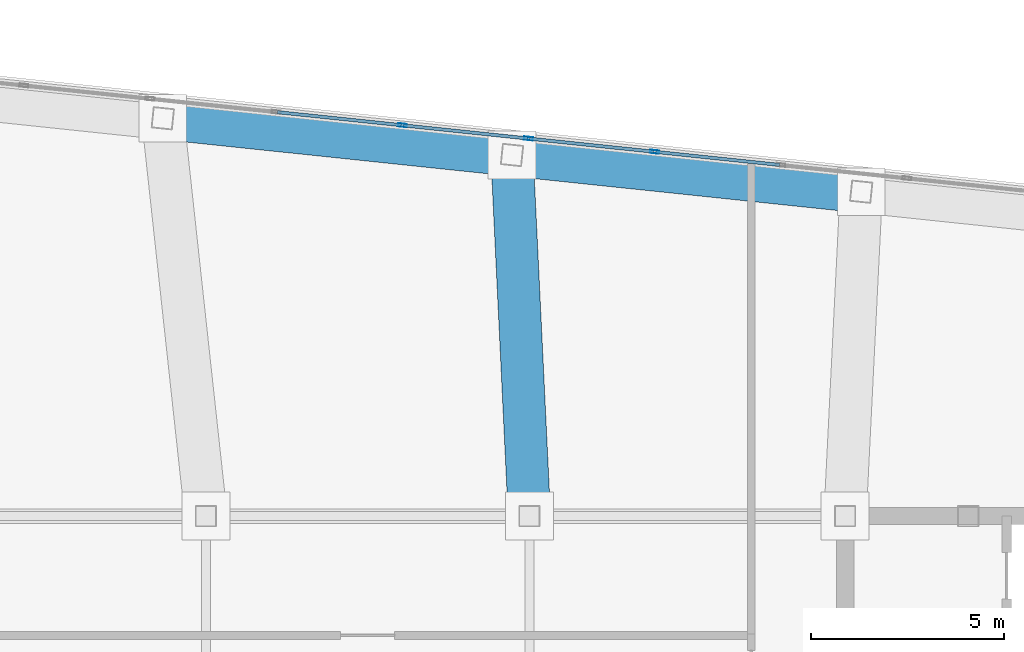
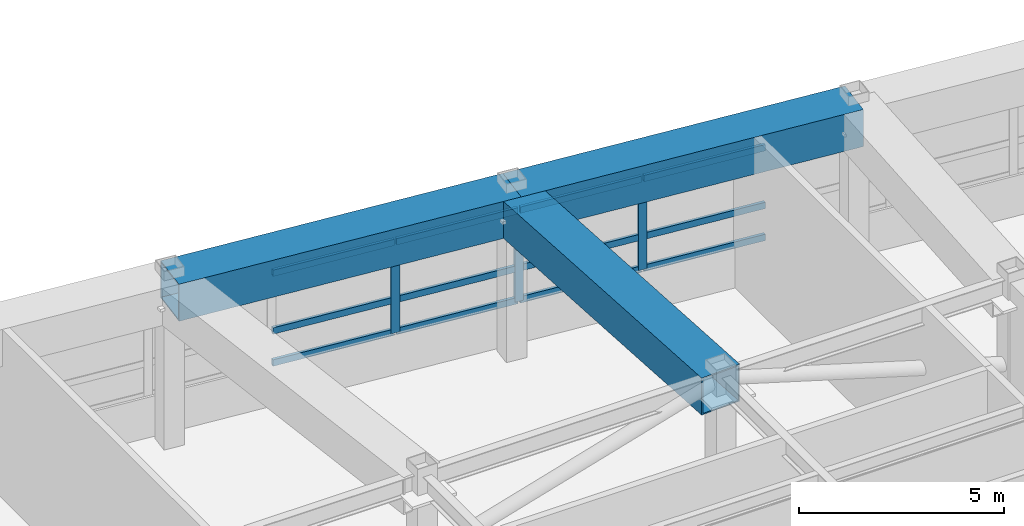
# One storey, part 16 of 23: 15 members, 3 beams, 1 element without a shape of its own.
"""IFC4 building model written with IfcOpenShell, lengths in metres."""

from ifc_helpers import new_model, si_unit, direction, frame, origin, origin_2d, place, context, subcontext, project, spatial, hollow_rectangle, extrude, material, layer, layer_set, material_profile, profile_set, type_object, element, aggregate, save


model = new_model("IFC4")

# Units and contexts
model_context = context("Model", 3, precision=1e-05, world=origin(), true_north=direction((0.0, 1.0)))
body_context = subcontext(model_context, "Body", "Model", "MODEL_VIEW")
ifc_project = project(units=[si_unit("LENGTHUNIT", "METRE"), si_unit("AREAUNIT", "SQUARE_METRE"), si_unit("VOLUMEUNIT", "CUBIC_METRE"), si_unit("PLANEANGLEUNIT", "RADIAN"), si_unit("MASSUNIT", "GRAM", prefix="KILO")], contexts=[model_context])

# Site, building, storey
site_placement = place(None, origin())
site = spatial("IfcSite", under=ifc_project, at=site_placement, CompositionType="ELEMENT")
building_placement = place(site_placement, origin())
building = spatial("IfcBuilding", under=site, at=building_placement, Name="Voryun Gate Residences", CompositionType="ELEMENT")
storey_placement = place(building_placement, frame((0.0, 0.0, 316.0)))
storey = spatial("IfcBuildingStorey", under=building, at=storey_placement, Name="L78", CompositionType="ELEMENT", Elevation=316.0)

# Beams
ifc_material_1 = material(Name="Steel SM420", Category="steel")
ifc_material_profile_1 = material_profile(ifc_material_1, hollow_rectangle(XDim=1.10009765625, YDim=1.10009765625, WallThickness=0.035888671875, at=origin_2d()), Name="BOX-1100x1100x36")
ifc_profile_set_1 = profile_set([ifc_material_profile_1], Name="Steel SM420")
beam_type = type_object("IfcBeamType", Name="BM_ARCH_RIB", PredefinedType="USERDEFINED", material=ifc_profile_set_1)
for number, where, z_axis, x_axis, name in (
    (1, (12.818603515625, 15.824951171875, 4.47509765625), (-0.994521136856, 0.104535679778, 0.0), (-0.104535679778, -0.994521136856, 0.0), "BM-L78-SPAND-12"),
    (2, (3.74853515625, 16.7783203125, 4.47509765625), (-0.994521136856, 0.104535679778, 0.0), (-0.104535679778, -0.994521136856, 0.0), "BM-L78-SPAND-13"),
):
    element("IfcBeam", number, at=place(storey_placement, frame(where, z_axis=z_axis, x_axis=x_axis)), inside=storey, type_object=beam_type, Name=name, ObjectType="GIRDER", PredefinedType="USERDEFINED", context=body_context, shape_type="SweptSolid", body=[
        extrude(hollow_rectangle(XDim=1.10009765625, YDim=1.10009765625, WallThickness=0.035888671875, at=origin_2d()), origin(), (0.0, 0.0, 1.0), 9.1201171875),
    ])
beam_placement = place(storey_placement, frame((4.199951171875, 7.39990234375, 4.47509765625), z_axis=(-0.048077831062, 0.998843592441, 0.0), x_axis=(-0.998843592441, -0.048077831062, 0.0)))
element("IfcBeam", 3, at=beam_placement, inside=storey, type_object=beam_type, Name="BM-L78-RAD-N3", ObjectType="GIRDER", PredefinedType="USERDEFINED", context=body_context, shape_type="SweptSolid", body=[
    extrude(hollow_rectangle(XDim=1.10009765625, YDim=1.10009765625, WallThickness=0.035888671875, at=origin_2d()), origin(), (0.0, 0.0, 1.0), 9.38916015625),
])

# Curtain wall, members
ifc_material_2 = material(Name="Anodised aluminium", Category="aluminium")
ifc_layer = layer(ifc_material_2, 0.22998046875, Name="CW_SYS_LANTERN_DARK_GLASS")
ifc_layer_set = layer_set([ifc_layer], Name="Anodised aluminium")
curtain_wall_type = type_object("IfcCurtainWallType", Name="CW_SYS_LANTERN_DARK_GLASS", PredefinedType="NOTDEFINED", material=ifc_layer_set)
curtain_wall_placement = place(storey_placement, origin())
curtain_wall = element("IfcCurtainWall", 4, at=curtain_wall_placement, inside=storey, type_object=curtain_wall_type, Name="Curtain wall CW6-L78-11", PredefinedType="NOTDEFINED")
ifc_material_3 = material(Name="Anodised aluminium", Category="aluminium")
ifc_material_profile_2 = material_profile(ifc_material_3, hollow_rectangle(XDim=0.0849609375, YDim=0.22998046875, WallThickness=0.006103515625, at=origin_2d()), Name="ALU-MULL-230x85x6")
ifc_profile_set_2 = profile_set([ifc_material_profile_2], Name="Anodised aluminium")
member_type_1 = type_object("IfcMemberType", Name="CW_MULL_LANT", PredefinedType="MULLION", material=ifc_profile_set_2)
member_1_placement = place(storey_placement, frame((0.90087890625, 17.55029296875, 1.18994140625), z_axis=(0.0, 0.0, 1.0), x_axis=(0.10452775858, 0.994521969434, 0.0)))
member_1 = element("IfcMember", 5, at=member_1_placement, type_object=member_type_1, Name="CW6 mullion 8", PredefinedType="MULLION", context=body_context, shape_type="SweptSolid", body=[
    extrude(hollow_rectangle(XDim=0.0849609375, YDim=0.22998046875, WallThickness=0.006103515625, at=origin_2d()), origin(), (0.0, 0.0, 1.0), 2.72509765625),
])
member_2_placement = place(storey_placement, frame((4.177490234375, 17.205810546875, 1.18994140625), z_axis=(0.0, 0.0, 1.0), x_axis=(0.10452775858, 0.994521969434, 0.0)))
member_2 = element("IfcMember", 6, at=member_2_placement, type_object=member_type_1, Name="CW6 mullion 9", PredefinedType="MULLION", context=body_context, shape_type="SweptSolid", body=[
    extrude(hollow_rectangle(XDim=0.0849609375, YDim=0.22998046875, WallThickness=0.006103515625, at=origin_2d()), origin(), (0.0, 0.0, 1.0), 2.72509765625),
])
member_3_placement = place(storey_placement, frame((7.4541015625, 16.861328125, 1.18994140625), z_axis=(0.0, 0.0, 1.0), x_axis=(0.10452775858, 0.994521969434, 0.0)))
member_3 = element("IfcMember", 7, at=member_3_placement, type_object=member_type_1, Name="CW6 mullion 10", PredefinedType="MULLION", context=body_context, shape_type="SweptSolid", body=[
    extrude(hollow_rectangle(XDim=0.0849609375, YDim=0.22998046875, WallThickness=0.006103515625, at=origin_2d()), origin(), (0.0, 0.0, 1.0), 2.72509765625),
])
ifc_material_4 = material(Name="Anodised aluminium", Category="aluminium")
ifc_material_profile_3 = material_profile(ifc_material_4, hollow_rectangle(XDim=0.0849609375, YDim=0.18994140625, WallThickness=0.006103515625, at=origin_2d()), Name="ALU-TRAN-190x85x6")
ifc_profile_set_3 = profile_set([ifc_material_profile_3], Name="Anodised aluminium")
member_type_2 = type_object("IfcMemberType", Name="CW_TRAN_LANT", PredefinedType="USERDEFINED", material=ifc_profile_set_3)
member_4_placement = place(storey_placement, frame((-2.345947265625, 17.891357421875, 1.219970703125), z_axis=(0.994521569819, -0.104531560613, 0.0), x_axis=(0.104531560613, 0.994521569819, 0.0)))
member_4 = element("IfcMember", 8, at=member_4_placement, type_object=member_type_2, Name="CW6 transom 7.1", ObjectType="TRANSOM", PredefinedType="USERDEFINED", context=body_context, shape_type="SweptSolid", body=[
    extrude(hollow_rectangle(XDim=0.0849609375, YDim=0.18994140625, WallThickness=0.006103515625, at=origin_2d()), origin(), (0.0, 0.0, 1.0), 3.23486328125),
])
member_5_placement = place(storey_placement, frame((-2.345947265625, 17.891357421875, 2.1708984375), z_axis=(0.994521569819, -0.104531560613, 0.0), x_axis=(0.104531560613, 0.994521569819, 0.0)))
member_5 = element("IfcMember", 9, at=member_5_placement, type_object=member_type_2, Name="CW6 transom 7.2", ObjectType="TRANSOM", PredefinedType="USERDEFINED", context=body_context, shape_type="SweptSolid", body=[
    extrude(hollow_rectangle(XDim=0.0849609375, YDim=0.18994140625, WallThickness=0.006103515625, at=origin_2d()), origin(), (0.0, 0.0, 1.0), 3.23486328125),
])
member_6_placement = place(storey_placement, frame((-2.345947265625, 17.891357421875, 3.885009765625), z_axis=(0.994521569819, -0.104531560613, 0.0), x_axis=(0.104531560613, 0.994521569819, 0.0)))
member_6 = element("IfcMember", 10, at=member_6_placement, type_object=member_type_2, Name="CW6 transom 7.3", ObjectType="TRANSOM", PredefinedType="USERDEFINED", context=body_context, shape_type="SweptSolid", body=[
    extrude(hollow_rectangle(XDim=0.0849609375, YDim=0.18994140625, WallThickness=0.006103515625, at=origin_2d()), origin(), (0.0, 0.0, 1.0), 3.23486328125),
])
member_7_placement = place(storey_placement, frame((0.930908203125, 17.547119140625, 1.219970703125), z_axis=(0.994520745033, -0.104539407398, 0.0), x_axis=(0.104539407398, 0.994520745033, 0.0)))
member_7 = element("IfcMember", 11, at=member_7_placement, type_object=member_type_2, Name="CW6 transom 8.1", ObjectType="TRANSOM", PredefinedType="USERDEFINED", context=body_context, shape_type="SweptSolid", body=[
    extrude(hollow_rectangle(XDim=0.0849609375, YDim=0.18994140625, WallThickness=0.006103515625, at=origin_2d()), origin(), (0.0, 0.0, 1.0), 3.234619140625),
])
member_8_placement = place(storey_placement, frame((0.930908203125, 17.547119140625, 2.1708984375), z_axis=(0.994520745033, -0.104539407398, 0.0), x_axis=(0.104539407398, 0.994520745033, 0.0)))
member_8 = element("IfcMember", 12, at=member_8_placement, type_object=member_type_2, Name="CW6 transom 8.2", ObjectType="TRANSOM", PredefinedType="USERDEFINED", context=body_context, shape_type="SweptSolid", body=[
    extrude(hollow_rectangle(XDim=0.0849609375, YDim=0.18994140625, WallThickness=0.006103515625, at=origin_2d()), origin(), (0.0, 0.0, 1.0), 3.234619140625),
])
member_9_placement = place(storey_placement, frame((0.930908203125, 17.547119140625, 3.885009765625), z_axis=(0.994520745033, -0.104539407398, 0.0), x_axis=(0.104539407398, 0.994520745033, 0.0)))
member_9 = element("IfcMember", 13, at=member_9_placement, type_object=member_type_2, Name="CW6 transom 8.3", ObjectType="TRANSOM", PredefinedType="USERDEFINED", context=body_context, shape_type="SweptSolid", body=[
    extrude(hollow_rectangle(XDim=0.0849609375, YDim=0.18994140625, WallThickness=0.006103515625, at=origin_2d()), origin(), (0.0, 0.0, 1.0), 3.234619140625),
])
member_10_placement = place(storey_placement, frame((4.20751953125, 17.20263671875, 1.219970703125), z_axis=(0.994520745033, -0.104539407398, 0.0), x_axis=(0.104539407398, 0.994520745033, 0.0)))
member_10 = element("IfcMember", 14, at=member_10_placement, type_object=member_type_2, Name="CW6 transom 9.1", ObjectType="TRANSOM", PredefinedType="USERDEFINED", context=body_context, shape_type="SweptSolid", body=[
    extrude(hollow_rectangle(XDim=0.0849609375, YDim=0.18994140625, WallThickness=0.006103515625, at=origin_2d()), origin(), (0.0, 0.0, 1.0), 3.234619140625),
])
member_11_placement = place(storey_placement, frame((4.20751953125, 17.20263671875, 2.1708984375), z_axis=(0.994520745033, -0.104539407398, 0.0), x_axis=(0.104539407398, 0.994520745033, 0.0)))
member_11 = element("IfcMember", 15, at=member_11_placement, type_object=member_type_2, Name="CW6 transom 9.2", ObjectType="TRANSOM", PredefinedType="USERDEFINED", context=body_context, shape_type="SweptSolid", body=[
    extrude(hollow_rectangle(XDim=0.0849609375, YDim=0.18994140625, WallThickness=0.006103515625, at=origin_2d()), origin(), (0.0, 0.0, 1.0), 3.234619140625),
])
member_12_placement = place(storey_placement, frame((4.20751953125, 17.20263671875, 3.885009765625), z_axis=(0.994520745033, -0.104539407398, 0.0), x_axis=(0.104539407398, 0.994520745033, 0.0)))
member_12 = element("IfcMember", 16, at=member_12_placement, type_object=member_type_2, Name="CW6 transom 9.3", ObjectType="TRANSOM", PredefinedType="USERDEFINED", context=body_context, shape_type="SweptSolid", body=[
    extrude(hollow_rectangle(XDim=0.0849609375, YDim=0.18994140625, WallThickness=0.006103515625, at=origin_2d()), origin(), (0.0, 0.0, 1.0), 3.234619140625),
])
member_13_placement = place(storey_placement, frame((7.484130859375, 16.8583984375, 1.219970703125), z_axis=(0.994520745033, -0.104539407398, 0.0), x_axis=(0.104539407398, 0.994520745033, 0.0)))
member_13 = element("IfcMember", 17, at=member_13_placement, type_object=member_type_2, Name="CW6 transom 10.1", ObjectType="TRANSOM", PredefinedType="USERDEFINED", context=body_context, shape_type="SweptSolid", body=[
    extrude(hollow_rectangle(XDim=0.0849609375, YDim=0.18994140625, WallThickness=0.006103515625, at=origin_2d()), origin(), (0.0, 0.0, 1.0), 3.234619140625),
])
member_14_placement = place(storey_placement, frame((7.484130859375, 16.8583984375, 2.1708984375), z_axis=(0.994520745033, -0.104539407398, 0.0), x_axis=(0.104539407398, 0.994520745033, 0.0)))
member_14 = element("IfcMember", 18, at=member_14_placement, type_object=member_type_2, Name="CW6 transom 10.2", ObjectType="TRANSOM", PredefinedType="USERDEFINED", context=body_context, shape_type="SweptSolid", body=[
    extrude(hollow_rectangle(XDim=0.0849609375, YDim=0.18994140625, WallThickness=0.006103515625, at=origin_2d()), origin(), (0.0, 0.0, 1.0), 3.234619140625),
])
member_15_placement = place(storey_placement, frame((7.484130859375, 16.8583984375, 3.885009765625), z_axis=(0.994520745033, -0.104539407398, 0.0), x_axis=(0.104539407398, 0.994520745033, 0.0)))
member_15 = element("IfcMember", 19, at=member_15_placement, type_object=member_type_2, Name="CW6 transom 10.3", ObjectType="TRANSOM", PredefinedType="USERDEFINED", context=body_context, shape_type="SweptSolid", body=[
    extrude(hollow_rectangle(XDim=0.0849609375, YDim=0.18994140625, WallThickness=0.006103515625, at=origin_2d()), origin(), (0.0, 0.0, 1.0), 3.234619140625),
])
aggregate(curtain_wall, [member_1, member_2, member_3, member_4, member_5, member_6, member_7, member_8, member_9, member_10, member_11, member_12, member_13, member_14, member_15])

save(model, "model.ifc")
